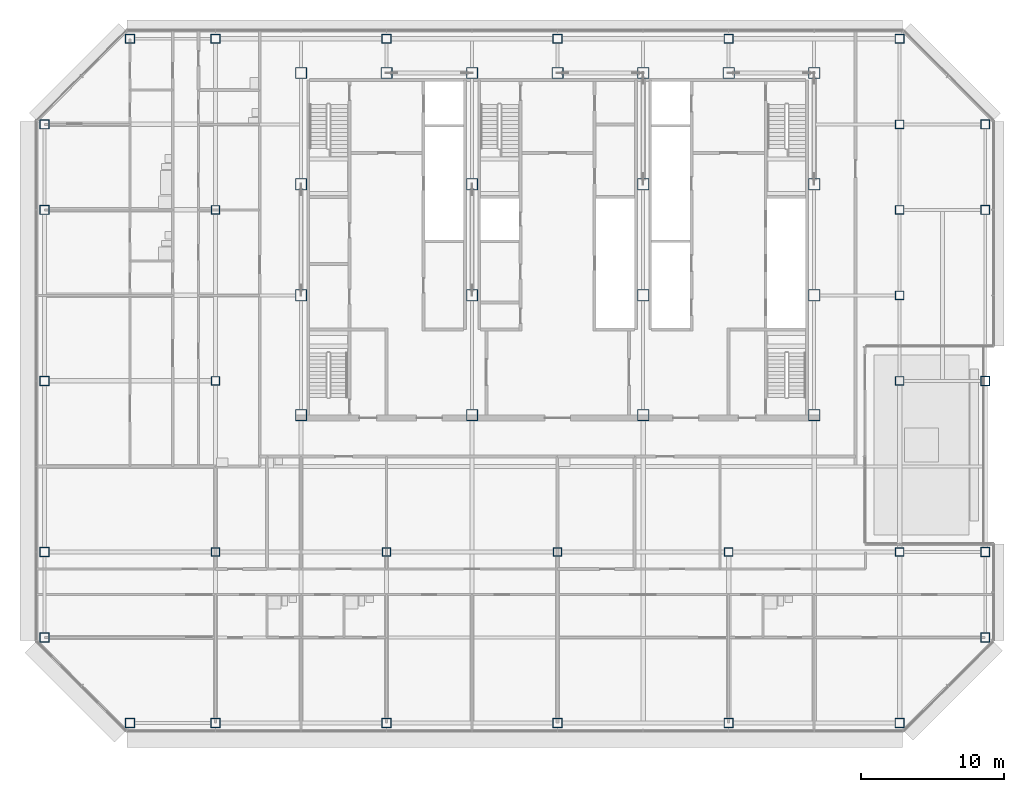
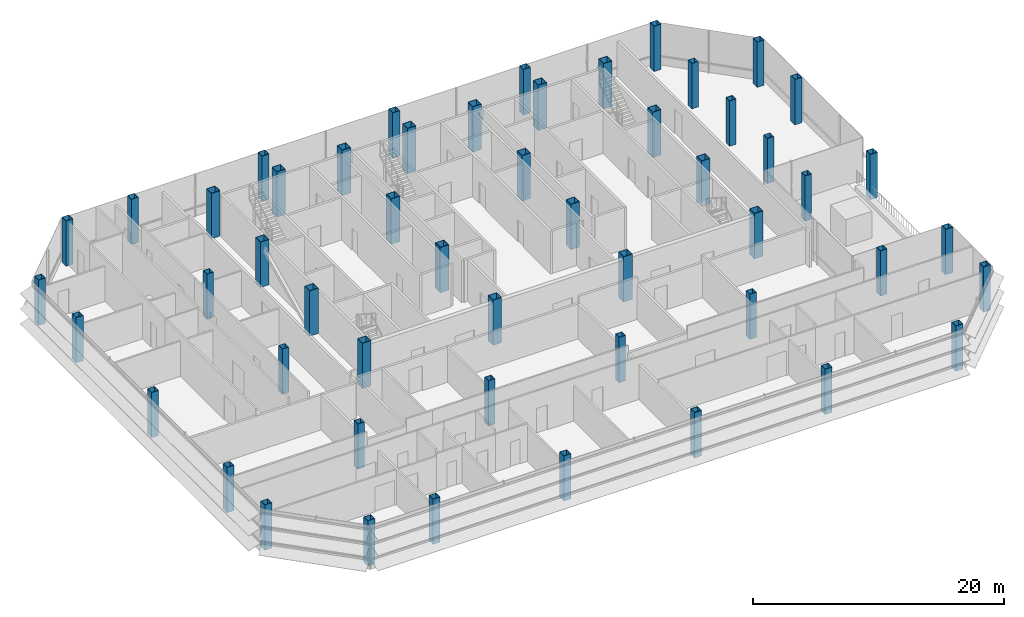
# One storey, part 1 of 30: 52 columns.
"""IFC4 building model written with IfcOpenShell, lengths in metres."""

from ifc_helpers import new_model, si_unit, direction, frame, origin, origin_2d, place, context, subcontext, project, spatial, hollow_rectangle, extrude, material, material_profile, profile_set, type_object, element, save


model = new_model("IFC4")

# Units and contexts
model_context = context("Model", 3, precision=1e-05, world=origin(), true_north=direction((0.0, 1.0)))
body_context = subcontext(model_context, "Body", "Model", "MODEL_VIEW")
ifc_project = project(units=[si_unit("LENGTHUNIT", "METRE"), si_unit("AREAUNIT", "SQUARE_METRE"), si_unit("VOLUMEUNIT", "CUBIC_METRE"), si_unit("PLANEANGLEUNIT", "RADIAN"), si_unit("MASSUNIT", "GRAM", prefix="KILO")], contexts=[model_context])

# Site, building, storey
site_placement = place(None, origin())
site = spatial("IfcSite", under=ifc_project, at=site_placement, CompositionType="ELEMENT")
building_placement = place(site_placement, origin())
building = spatial("IfcBuilding", under=site, at=building_placement, Name="Sorahane Residences", CompositionType="ELEMENT")
storey_placement = place(building_placement, frame((0.0, 0.0, 229.800048828125)))
storey = spatial("IfcBuildingStorey", under=building, at=storey_placement, Name="L54", CompositionType="ELEMENT", Elevation=229.800048828125)

# Columns
ifc_material_1 = material(Name="Steel Q355B", Category="steel")
ifc_material_profile_1 = material_profile(ifc_material_1, hollow_rectangle(XDim=0.60009765625, YDim=0.60009765625, WallThickness=0.028076171875, at=origin_2d()), Name="BOX 600x600x28")
ifc_profile_set_1 = profile_set([ifc_material_profile_1], Name="Steel Q355B")
column_type_1 = type_object("IfcColumnType", Name="Steel box column BOX 600x600x28 Q355B", PredefinedType="COLUMN", material=ifc_profile_set_1)
for number, where, z_axis, x_axis, name in (
    (1, (0.0, 12.0, 0.0), (0.0, 0.0, 1.0), (1.0, 0.0, 0.0), "Column L54 0/12"),
    (2, (0.0, 24.0, 0.0), (0.0, 0.0, 1.0), (1.0, 0.0, 0.0), "Column L54 0/24"),
    (3, (0.0, 36.0, 0.0), (0.0, 0.0, 1.0), (1.0, 0.0, 0.0), "Column L54 0/36"),
    (4, (12.0, 12.0, 0.0), (0.0, 0.0, 1.0), (1.0, 0.0, 0.0), "Column L54 12/12"),
    (5, (24.0, 12.0, 0.0), (0.0, 0.0, 1.0), (1.0, 0.0, 0.0), "Column L54 24/12"),
    (6, (36.0, 12.0, 0.0), (0.0, 0.0, 1.0), (1.0, 0.0, 0.0), "Column L54 36/12"),
    (7, (48.0, 12.0, 0.0), (0.0, 0.0, 1.0), (1.0, 0.0, 0.0), "Column L54 48/12"),
    (8, (48.0, 24.0, 0.0), (0.0, 0.0, 1.0), (1.0, 0.0, 0.0), "Column L54 48/24"),
    (9, (48.0, 30.0, 0.0), (0.0, 0.0, 1.0), (1.0, 0.0, 0.0), "Column L54 48/30"),
    (10, (48.0, 36.0, 0.0), (0.0, 0.0, 1.0), (1.0, 0.0, 0.0), "Column L54 48/36"),
    (11, (48.0, 42.0, 0.0), (0.0, 0.0, 1.0), (1.0, 0.0, 0.0), "Column L54 48/42"),
):
    element("IfcColumn", number, at=place(storey_placement, frame(where, z_axis=z_axis, x_axis=x_axis)), inside=storey, type_object=column_type_1, Name=name, PredefinedType="COLUMN", context=body_context, shape_type="SweptSolid", body=[
        extrude(hollow_rectangle(XDim=0.60009765625, YDim=0.60009765625, WallThickness=0.028076171875, at=origin_2d()), origin(), (0.0, 0.0, 1.0), 4.39990234375),
    ])
ifc_material_2 = material(Name="Steel Q355B", Category="steel")
ifc_material_profile_2 = material_profile(ifc_material_2, hollow_rectangle(XDim=0.64990234375, YDim=0.64990234375, WallThickness=0.031982421875, at=origin_2d()), Name="BOX 650x650x32")
ifc_profile_set_2 = profile_set([ifc_material_profile_2], Name="Steel Q355B")
column_type_2 = type_object("IfcColumnType", Name="Steel box column BOX 650x650x32 Q355B", PredefinedType="COLUMN", material=ifc_profile_set_2)
for number, where, z_axis, x_axis, name in (
    (12, (-12.0, 6.0, 0.0), (0.0, 0.0, 1.0), (1.0, 0.0, 0.0), "Column L54 m12/6"),
    (13, (-12.0, 12.0, 0.0), (0.0, 0.0, 1.0), (1.0, 0.0, 0.0), "Column L54 m12/12"),
    (14, (-12.0, 24.0, 0.0), (0.0, 0.0, 1.0), (1.0, 0.0, 0.0), "Column L54 m12/24"),
    (15, (-12.0, 36.0, 0.0), (0.0, 0.0, 1.0), (1.0, 0.0, 0.0), "Column L54 m12/36"),
    (16, (-12.0, 42.0, 0.0), (0.0, 0.0, 1.0), (1.0, 0.0, 0.0), "Column L54 m12/42"),
    (17, (-6.0, 0.0, 0.0), (0.0, 0.0, 1.0), (1.0, 0.0, 0.0), "Column L54 m6/0"),
    (18, (-6.0, 48.0, 0.0), (0.0, 0.0, 1.0), (1.0, 0.0, 0.0), "Column L54 m6/48"),
    (19, (0.0, 0.0, 0.0), (0.0, 0.0, 1.0), (1.0, 0.0, 0.0), "Column L54 0/0"),
    (20, (0.0, 48.0, 0.0), (0.0, 0.0, 1.0), (1.0, 0.0, 0.0), "Column L54 0/48"),
    (21, (12.0, 0.0, 0.0), (0.0, 0.0, 1.0), (1.0, 0.0, 0.0), "Column L54 12/0"),
    (22, (12.0, 48.0, 0.0), (0.0, 0.0, 1.0), (1.0, 0.0, 0.0), "Column L54 12/48"),
    (23, (24.0, 0.0, 0.0), (0.0, 0.0, 1.0), (1.0, 0.0, 0.0), "Column L54 24/0"),
    (24, (24.0, 48.0, 0.0), (0.0, 0.0, 1.0), (1.0, 0.0, 0.0), "Column L54 24/48"),
    (25, (36.0, 0.0, 0.0), (0.0, 0.0, 1.0), (1.0, 0.0, 0.0), "Column L54 36/0"),
    (26, (36.0, 48.0, 0.0), (0.0, 0.0, 1.0), (1.0, 0.0, 0.0), "Column L54 36/48"),
    (27, (48.0, 0.0, 0.0), (0.0, 0.0, 1.0), (1.0, 0.0, 0.0), "Column L54 48/0"),
    (28, (48.0, 48.0, 0.0), (0.0, 0.0, 1.0), (1.0, 0.0, 0.0), "Column L54 48/48"),
    (29, (54.0, 6.0, 0.0), (0.0, 0.0, 1.0), (1.0, 0.0, 0.0), "Column L54 54/6"),
    (30, (54.0, 12.0, 0.0), (0.0, 0.0, 1.0), (1.0, 0.0, 0.0), "Column L54 54/12"),
    (31, (54.0, 24.0, 0.0), (0.0, 0.0, 1.0), (1.0, 0.0, 0.0), "Column L54 54/24"),
    (32, (54.0, 36.0, 0.0), (0.0, 0.0, 1.0), (1.0, 0.0, 0.0), "Column L54 54/36"),
    (33, (54.0, 42.0, 0.0), (0.0, 0.0, 1.0), (1.0, 0.0, 0.0), "Column L54 54/42"),
):
    element("IfcColumn", number, at=place(storey_placement, frame(where, z_axis=z_axis, x_axis=x_axis)), inside=storey, type_object=column_type_2, Name=name, PredefinedType="COLUMN", context=body_context, shape_type="SweptSolid", body=[
        extrude(hollow_rectangle(XDim=0.64990234375, YDim=0.64990234375, WallThickness=0.031982421875, at=origin_2d()), origin(), (0.0, 0.0, 1.0), 4.39990234375),
    ])
ifc_material_3 = material(Name="Steel Q355B", Category="steel")
ifc_material_profile_3 = material_profile(ifc_material_3, hollow_rectangle(XDim=0.800048828125, YDim=0.800048828125, WallThickness=0.0400390625, at=origin_2d()), Name="BOX 800x800x40")
ifc_profile_set_3 = profile_set([ifc_material_profile_3], Name="Steel Q355B")
column_type_3 = type_object("IfcColumnType", Name="Steel box column BOX 800x800x40 Q355B", PredefinedType="COLUMN", material=ifc_profile_set_3)
for number, where, z_axis, x_axis, name in (
    (34, (6.0, 21.60009765625, 0.0), (0.0, 0.0, 1.0), (1.0, 0.0, 0.0), "Column L54 6/21.6"),
    (35, (6.0, 30.0, 0.0), (0.0, 0.0, 1.0), (1.0, 0.0, 0.0), "Column L54 6/30"),
    (36, (6.0, 37.800048828125, 0.0), (0.0, 0.0, 1.0), (1.0, 0.0, 0.0), "Column L54 6/37.8"),
    (37, (6.0, 45.60009765625, 0.0), (0.0, 0.0, 1.0), (1.0, 0.0, 0.0), "Column L54 6/45.6"),
    (38, (12.0, 45.60009765625, 0.0), (0.0, 0.0, 1.0), (1.0, 0.0, 0.0), "Column L54 12/45.6"),
    (39, (18.0, 21.60009765625, 0.0), (0.0, 0.0, 1.0), (1.0, 0.0, 0.0), "Column L54 18/21.6"),
    (40, (18.0, 30.0, 0.0), (0.0, 0.0, 1.0), (1.0, 0.0, 0.0), "Column L54 18/30"),
    (41, (18.0, 37.800048828125, 0.0), (0.0, 0.0, 1.0), (1.0, 0.0, 0.0), "Column L54 18/37.8"),
    (42, (18.0, 45.60009765625, 0.0), (0.0, 0.0, 1.0), (1.0, 0.0, 0.0), "Column L54 18/45.6"),
    (43, (24.0, 45.60009765625, 0.0), (0.0, 0.0, 1.0), (1.0, 0.0, 0.0), "Column L54 24/45.6"),
    (44, (30.0, 21.60009765625, 0.0), (0.0, 0.0, 1.0), (1.0, 0.0, 0.0), "Column L54 30/21.6"),
    (45, (30.0, 30.0, 0.0), (0.0, 0.0, 1.0), (1.0, 0.0, 0.0), "Column L54 30/30"),
    (46, (30.0, 37.800048828125, 0.0), (0.0, 0.0, 1.0), (1.0, 0.0, 0.0), "Column L54 30/37.8"),
    (47, (30.0, 45.60009765625, 0.0), (0.0, 0.0, 1.0), (1.0, 0.0, 0.0), "Column L54 30/45.6"),
    (48, (36.0, 45.60009765625, 0.0), (0.0, 0.0, 1.0), (1.0, 0.0, 0.0), "Column L54 36/45.6"),
    (49, (42.0, 21.60009765625, 0.0), (0.0, 0.0, 1.0), (1.0, 0.0, 0.0), "Column L54 42/21.6"),
    (50, (42.0, 30.0, 0.0), (0.0, 0.0, 1.0), (1.0, 0.0, 0.0), "Column L54 42/30"),
    (51, (42.0, 37.800048828125, 0.0), (0.0, 0.0, 1.0), (1.0, 0.0, 0.0), "Column L54 42/37.8"),
    (52, (42.0, 45.60009765625, 0.0), (0.0, 0.0, 1.0), (1.0, 0.0, 0.0), "Column L54 42/45.6"),
):
    element("IfcColumn", number, at=place(storey_placement, frame(where, z_axis=z_axis, x_axis=x_axis)), inside=storey, type_object=column_type_3, Name=name, PredefinedType="COLUMN", context=body_context, shape_type="SweptSolid", body=[
        extrude(hollow_rectangle(XDim=0.800048828125, YDim=0.800048828125, WallThickness=0.0400390625, at=origin_2d()), origin(), (0.0, 0.0, 1.0), 4.39990234375),
    ])

save(model, "model.ifc")
